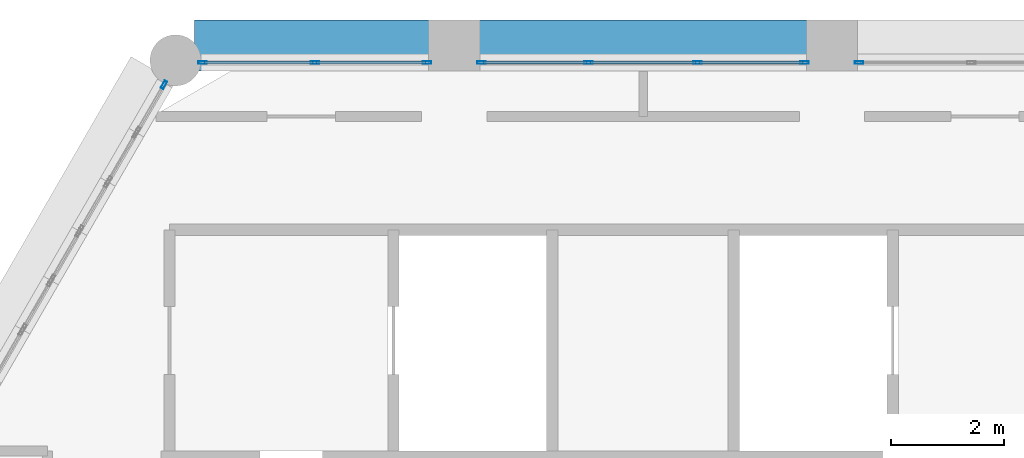
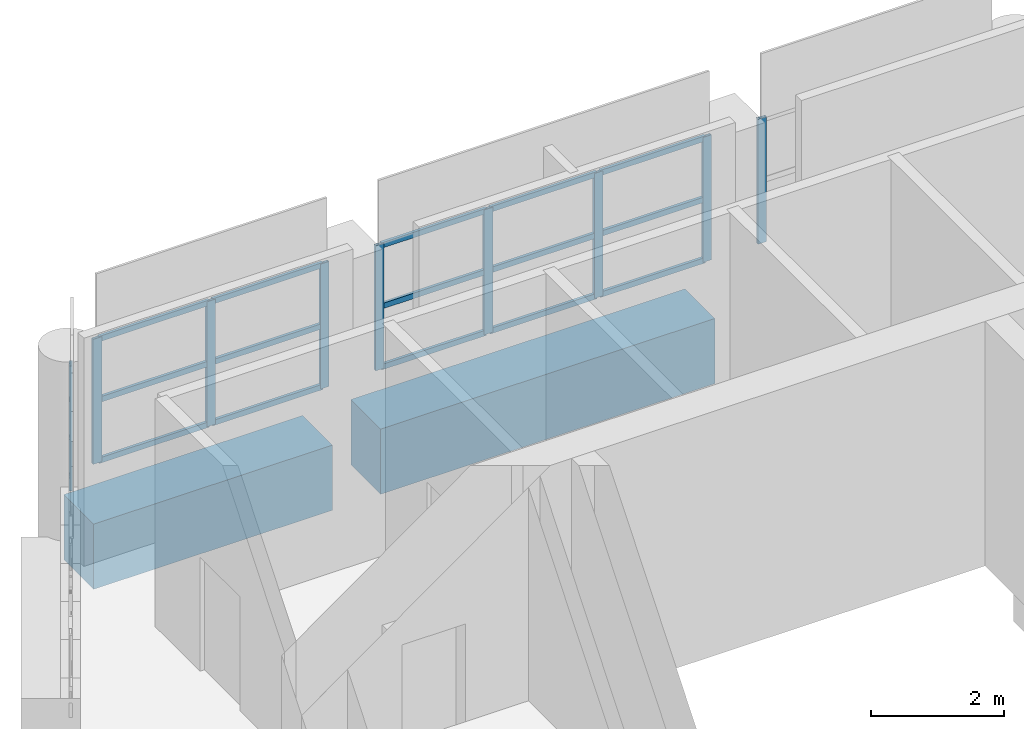
# One storey, part 8 of 16: 24 members, 2 beams, 4 elements without a shape of their own.
"""IFC4 building model written with IfcOpenShell, lengths in metres."""

from ifc_helpers import new_model, si_unit, direction, frame, origin, origin_2d, place, context, subcontext, project, spatial, rectangle, hollow_rectangle, extrude, material, material_profile, profile_set, type_object, element, aggregate, save


model = new_model("IFC4")

# Units and contexts
model_context = context("Model", 3, precision=1e-05, world=origin(), true_north=direction((0.0, 1.0)))
body_context = subcontext(model_context, "Body", "Model", "MODEL_VIEW")
ifc_project = project(units=[si_unit("LENGTHUNIT", "METRE"), si_unit("AREAUNIT", "SQUARE_METRE"), si_unit("VOLUMEUNIT", "CUBIC_METRE"), si_unit("PLANEANGLEUNIT", "RADIAN"), si_unit("MASSUNIT", "GRAM", prefix="KILO")], contexts=[model_context])

# Site, building, storey
site_placement = place(None, origin())
site = spatial("IfcSite", under=ifc_project, at=site_placement, CompositionType="ELEMENT")
building_placement = place(site_placement, origin())
building = spatial("IfcBuilding", under=site, at=building_placement, Name="Ostrander Bayou Hotel Tower", CompositionType="ELEMENT")
storey_placement = place(building_placement, frame((0.0, 0.0, 288.5)))
storey = spatial("IfcBuildingStorey", under=building, at=storey_placement, Name="L71", CompositionType="ELEMENT", Elevation=288.5)

# Curtain wall, member
ifc_material_1 = material(Name="Aluminium and clear glass", Category="aluminium")
curtain_wall_type = type_object("IfcCurtainWallType", Name="CW-CROWN glazed wall", PredefinedType="NOTDEFINED", material=ifc_material_1)
curtain_wall_1_placement = place(storey_placement, origin())
curtain_wall_1 = element("IfcCurtainWall", 1, at=curtain_wall_1_placement, inside=storey, type_object=curtain_wall_type, Name="CW-CROWN L71:N-1", PredefinedType="NOTDEFINED")
ifc_material_2 = material(Name="Aluminium", Category="aluminium")
ifc_material_profile_1 = material_profile(ifc_material_2, hollow_rectangle(XDim=0.050048828125, YDim=0.14990234375, WallThickness=0.00390625, at=origin_2d()))
ifc_profile_set_1 = profile_set([ifc_material_profile_1], Name="Aluminium")
member_type_1 = type_object("IfcMemberType", Name="CW-CR mullion 50 x 150 mm", PredefinedType="MULLION", material=ifc_profile_set_1)
member_1_placement = place(storey_placement, frame((3.809326171875, 16.550048828125, 1.0), z_axis=(0.0, 0.0, 1.0), x_axis=(0.0, -1.0, 0.0)))
member_1 = element("IfcMember", 2, at=member_1_placement, type_object=member_type_1, Name="CW-CROWN mullion 3", PredefinedType="MULLION", context=body_context, shape_type="SweptSolid", body=[
    extrude(hollow_rectangle(XDim=0.050048828125, YDim=0.14990234375, WallThickness=0.00390625, at=origin_2d()), origin(), (0.0, 0.0, 1.0), 2.300048828125),
])
aggregate(curtain_wall_1, [member_1])

# Curtain wall, members
curtain_wall_2_placement = place(storey_placement, origin())
curtain_wall_2 = element("IfcCurtainWall", 3, at=curtain_wall_2_placement, inside=storey, type_object=curtain_wall_type, Name="CW-CROWN L71:N-2", PredefinedType="NOTDEFINED")
member_2_placement = place(storey_placement, frame((2.849365234375, 16.550048828125, 1.0), z_axis=(0.0, 0.0, 1.0), x_axis=(0.0, -1.0, 0.0)))
member_2 = element("IfcMember", 4, at=member_2_placement, type_object=member_type_1, Name="CW-CROWN mullion 1", PredefinedType="MULLION", context=body_context, shape_type="SweptSolid", body=[
    extrude(hollow_rectangle(XDim=0.050048828125, YDim=0.14990234375, WallThickness=0.00390625, at=origin_2d()), origin(), (0.0, 0.0, 1.0), 2.300048828125),
])
member_3_placement = place(storey_placement, frame((0.959716796875, 16.550048828125, 1.0), z_axis=(0.0, 0.0, 1.0), x_axis=(0.0, -1.0, 0.0)))
member_3 = element("IfcMember", 5, at=member_3_placement, type_object=member_type_1, Name="CW-CROWN mullion 2", PredefinedType="MULLION", context=body_context, shape_type="SweptSolid", body=[
    extrude(hollow_rectangle(XDim=0.050048828125, YDim=0.14990234375, WallThickness=0.00390625, at=origin_2d()), origin(), (0.0, 0.0, 1.0), 2.300048828125),
])
member_4_placement = place(storey_placement, frame((-0.959716796875, 16.550048828125, 1.0), z_axis=(0.0, 0.0, 1.0), x_axis=(0.0, -1.0, 0.0)))
member_4 = element("IfcMember", 6, at=member_4_placement, type_object=member_type_1, Name="CW-CROWN mullion 3", PredefinedType="MULLION", context=body_context, shape_type="SweptSolid", body=[
    extrude(hollow_rectangle(XDim=0.050048828125, YDim=0.14990234375, WallThickness=0.00390625, at=origin_2d()), origin(), (0.0, 0.0, 1.0), 2.300048828125),
])
member_5_placement = place(storey_placement, frame((-2.849365234375, 16.550048828125, 1.0), z_axis=(0.0, 0.0, 1.0), x_axis=(0.0, -1.0, 0.0)))
member_5 = element("IfcMember", 7, at=member_5_placement, type_object=member_type_1, Name="CW-CROWN mullion 4", PredefinedType="MULLION", context=body_context, shape_type="SweptSolid", body=[
    extrude(hollow_rectangle(XDim=0.050048828125, YDim=0.14990234375, WallThickness=0.00390625, at=origin_2d()), origin(), (0.0, 0.0, 1.0), 2.300048828125),
])

curtain_wall_3_placement = place(storey_placement, origin())
curtain_wall_3 = element("IfcCurtainWall", 8, at=curtain_wall_3_placement, inside=storey, type_object=curtain_wall_type, Name="CW-CROWN L71:N-3", PredefinedType="NOTDEFINED")
member_6_placement = place(storey_placement, frame((-3.809326171875, 16.550048828125, 1.0), z_axis=(0.0, 0.0, 1.0), x_axis=(0.0, -1.0, 0.0)))
member_6 = element("IfcMember", 9, at=member_6_placement, type_object=member_type_1, Name="CW-CROWN mullion 1", PredefinedType="MULLION", context=body_context, shape_type="SweptSolid", body=[
    extrude(hollow_rectangle(XDim=0.050048828125, YDim=0.14990234375, WallThickness=0.00390625, at=origin_2d()), origin(), (0.0, 0.0, 1.0), 2.300048828125),
])
member_7_placement = place(storey_placement, frame((-5.78759765625, 16.550048828125, 1.0), z_axis=(0.0, 0.0, 1.0), x_axis=(0.0, -1.0, 0.0)))
member_7 = element("IfcMember", 10, at=member_7_placement, type_object=member_type_1, Name="CW-CROWN mullion 2", PredefinedType="MULLION", context=body_context, shape_type="SweptSolid", body=[
    extrude(hollow_rectangle(XDim=0.050048828125, YDim=0.14990234375, WallThickness=0.00390625, at=origin_2d()), origin(), (0.0, 0.0, 1.0), 2.300048828125),
])
member_8_placement = place(storey_placement, frame((-7.765869140625, 16.550048828125, 1.0), z_axis=(0.0, 0.0, 1.0), x_axis=(0.0, -1.0, 0.0)))
member_8 = element("IfcMember", 11, at=member_8_placement, type_object=member_type_1, Name="CW-CROWN mullion 3", PredefinedType="MULLION", context=body_context, shape_type="SweptSolid", body=[
    extrude(hollow_rectangle(XDim=0.050048828125, YDim=0.14990234375, WallThickness=0.00390625, at=origin_2d()), origin(), (0.0, 0.0, 1.0), 2.300048828125),
])

# Curtain wall, member
curtain_wall_4_placement = place(storey_placement, origin())
curtain_wall_4 = element("IfcCurtainWall", 12, at=curtain_wall_4_placement, inside=storey, type_object=curtain_wall_type, Name="CW-CROWN L71:NW-1-1", PredefinedType="NOTDEFINED")
member_9_placement = place(storey_placement, frame((-8.447021484375, 16.156494140625, 1.0), z_axis=(0.0, 0.0, 1.0), x_axis=(0.866026229865, -0.499998569184, 0.0)))
member_9 = element("IfcMember", 13, at=member_9_placement, type_object=member_type_1, Name="CW-CROWN mullion 1", PredefinedType="MULLION", context=body_context, shape_type="SweptSolid", body=[
    extrude(hollow_rectangle(XDim=0.050048828125, YDim=0.14990234375, WallThickness=0.00390625, at=origin_2d()), origin(), (0.0, 0.0, 1.0), 2.300048828125),
])
aggregate(curtain_wall_4, [member_9])

# Member
ifc_material_3 = material(Name="Aluminium", Category="aluminium")
ifc_material_profile_2 = material_profile(ifc_material_3, hollow_rectangle(XDim=0.050048828125, YDim=0.10009765625, WallThickness=0.00390625, at=origin_2d()))
ifc_profile_set_2 = profile_set([ifc_material_profile_2], Name="Aluminium")
member_type_2 = type_object("IfcMemberType", Name="CW-CR transom 50 x 100 mm", PredefinedType="USERDEFINED", material=ifc_profile_set_2)
member_10_placement = place(storey_placement, frame((2.8193359375, 16.550048828125, 1.030029296875), z_axis=(-1.0, 0.0, 0.0), x_axis=(0.0, -1.0, 0.0)))
member_10 = element("IfcMember", 14, at=member_10_placement, type_object=member_type_2, Name="CW-CROWN transom 1.1", ObjectType="TRANSOM", PredefinedType="USERDEFINED", context=body_context, shape_type="SweptSolid", body=[
    extrude(hollow_rectangle(XDim=0.050048828125, YDim=0.10009765625, WallThickness=0.00390625, at=origin_2d()), origin(), (0.0, 0.0, 1.0), 1.82958984375),
])

member_11_placement = place(storey_placement, frame((2.8193359375, 16.550048828125, 2.14990234375), z_axis=(-1.0, 0.0, 0.0), x_axis=(0.0, -1.0, 0.0)))
member_11 = element("IfcMember", 15, at=member_11_placement, type_object=member_type_2, Name="CW-CROWN transom 1.2", ObjectType="TRANSOM", PredefinedType="USERDEFINED", context=body_context, shape_type="SweptSolid", body=[
    extrude(hollow_rectangle(XDim=0.050048828125, YDim=0.10009765625, WallThickness=0.00390625, at=origin_2d()), origin(), (0.0, 0.0, 1.0), 1.82958984375),
])

member_12_placement = place(storey_placement, frame((2.8193359375, 16.550048828125, 3.27001953125), z_axis=(-1.0, 0.0, 0.0), x_axis=(0.0, -1.0, 0.0)))
member_12 = element("IfcMember", 16, at=member_12_placement, type_object=member_type_2, Name="CW-CROWN transom 1.3", ObjectType="TRANSOM", PredefinedType="USERDEFINED", context=body_context, shape_type="SweptSolid", body=[
    extrude(hollow_rectangle(XDim=0.050048828125, YDim=0.10009765625, WallThickness=0.00390625, at=origin_2d()), origin(), (0.0, 0.0, 1.0), 1.82958984375),
])

member_13_placement = place(storey_placement, frame((0.9296875, 16.550048828125, 1.030029296875), z_axis=(-1.0, 0.0, 0.0), x_axis=(0.0, -1.0, 0.0)))
member_13 = element("IfcMember", 17, at=member_13_placement, type_object=member_type_2, Name="CW-CROWN transom 2.1", ObjectType="TRANSOM", PredefinedType="USERDEFINED", context=body_context, shape_type="SweptSolid", body=[
    extrude(hollow_rectangle(XDim=0.050048828125, YDim=0.10009765625, WallThickness=0.00390625, at=origin_2d()), origin(), (0.0, 0.0, 1.0), 1.859375),
])

member_14_placement = place(storey_placement, frame((0.9296875, 16.550048828125, 2.14990234375), z_axis=(-1.0, 0.0, 0.0), x_axis=(0.0, -1.0, 0.0)))
member_14 = element("IfcMember", 18, at=member_14_placement, type_object=member_type_2, Name="CW-CROWN transom 2.2", ObjectType="TRANSOM", PredefinedType="USERDEFINED", context=body_context, shape_type="SweptSolid", body=[
    extrude(hollow_rectangle(XDim=0.050048828125, YDim=0.10009765625, WallThickness=0.00390625, at=origin_2d()), origin(), (0.0, 0.0, 1.0), 1.859375),
])

member_15_placement = place(storey_placement, frame((0.9296875, 16.550048828125, 3.27001953125), z_axis=(-1.0, 0.0, 0.0), x_axis=(0.0, -1.0, 0.0)))
member_15 = element("IfcMember", 19, at=member_15_placement, type_object=member_type_2, Name="CW-CROWN transom 2.3", ObjectType="TRANSOM", PredefinedType="USERDEFINED", context=body_context, shape_type="SweptSolid", body=[
    extrude(hollow_rectangle(XDim=0.050048828125, YDim=0.10009765625, WallThickness=0.00390625, at=origin_2d()), origin(), (0.0, 0.0, 1.0), 1.859375),
])

member_16_placement = place(storey_placement, frame((-0.98974609375, 16.550048828125, 1.030029296875), z_axis=(-1.0, 0.0, 0.0), x_axis=(0.0, -1.0, 0.0)))
member_16 = element("IfcMember", 20, at=member_16_placement, type_object=member_type_2, Name="CW-CROWN transom 3.1", ObjectType="TRANSOM", PredefinedType="USERDEFINED", context=body_context, shape_type="SweptSolid", body=[
    extrude(hollow_rectangle(XDim=0.050048828125, YDim=0.10009765625, WallThickness=0.00390625, at=origin_2d()), origin(), (0.0, 0.0, 1.0), 1.82958984375),
])

member_17_placement = place(storey_placement, frame((-0.98974609375, 16.550048828125, 2.14990234375), z_axis=(-1.0, 0.0, 0.0), x_axis=(0.0, -1.0, 0.0)))
member_17 = element("IfcMember", 21, at=member_17_placement, type_object=member_type_2, Name="CW-CROWN transom 3.2", ObjectType="TRANSOM", PredefinedType="USERDEFINED", context=body_context, shape_type="SweptSolid", body=[
    extrude(hollow_rectangle(XDim=0.050048828125, YDim=0.10009765625, WallThickness=0.00390625, at=origin_2d()), origin(), (0.0, 0.0, 1.0), 1.82958984375),
])

member_18_placement = place(storey_placement, frame((-0.98974609375, 16.550048828125, 3.27001953125), z_axis=(-1.0, 0.0, 0.0), x_axis=(0.0, -1.0, 0.0)))
member_18 = element("IfcMember", 22, at=member_18_placement, type_object=member_type_2, Name="CW-CROWN transom 3.3", ObjectType="TRANSOM", PredefinedType="USERDEFINED", context=body_context, shape_type="SweptSolid", body=[
    extrude(hollow_rectangle(XDim=0.050048828125, YDim=0.10009765625, WallThickness=0.00390625, at=origin_2d()), origin(), (0.0, 0.0, 1.0), 1.82958984375),
])

aggregate(curtain_wall_2, [member_2, member_3, member_4, member_5, member_10, member_11, member_12, member_13, member_14, member_15, member_16, member_17, member_18])

member_19_placement = place(storey_placement, frame((-3.83935546875, 16.550048828125, 1.030029296875), z_axis=(-1.0, 0.0, 0.0), x_axis=(0.0, -1.0, 0.0)))
member_19 = element("IfcMember", 23, at=member_19_placement, type_object=member_type_2, Name="CW-CROWN transom 1.1", ObjectType="TRANSOM", PredefinedType="USERDEFINED", context=body_context, shape_type="SweptSolid", body=[
    extrude(hollow_rectangle(XDim=0.050048828125, YDim=0.10009765625, WallThickness=0.00390625, at=origin_2d()), origin(), (0.0, 0.0, 1.0), 1.918212890625),
])

member_20_placement = place(storey_placement, frame((-3.83935546875, 16.550048828125, 2.14990234375), z_axis=(-1.0, 0.0, 0.0), x_axis=(0.0, -1.0, 0.0)))
member_20 = element("IfcMember", 24, at=member_20_placement, type_object=member_type_2, Name="CW-CROWN transom 1.2", ObjectType="TRANSOM", PredefinedType="USERDEFINED", context=body_context, shape_type="SweptSolid", body=[
    extrude(hollow_rectangle(XDim=0.050048828125, YDim=0.10009765625, WallThickness=0.00390625, at=origin_2d()), origin(), (0.0, 0.0, 1.0), 1.918212890625),
])

member_21_placement = place(storey_placement, frame((-3.83935546875, 16.550048828125, 3.27001953125), z_axis=(-1.0, 0.0, 0.0), x_axis=(0.0, -1.0, 0.0)))
member_21 = element("IfcMember", 25, at=member_21_placement, type_object=member_type_2, Name="CW-CROWN transom 1.3", ObjectType="TRANSOM", PredefinedType="USERDEFINED", context=body_context, shape_type="SweptSolid", body=[
    extrude(hollow_rectangle(XDim=0.050048828125, YDim=0.10009765625, WallThickness=0.00390625, at=origin_2d()), origin(), (0.0, 0.0, 1.0), 1.918212890625),
])

member_22_placement = place(storey_placement, frame((-5.817626953125, 16.550048828125, 1.030029296875), z_axis=(-1.0, 0.0, 0.0), x_axis=(0.0, -1.0, 0.0)))
member_22 = element("IfcMember", 26, at=member_22_placement, type_object=member_type_2, Name="CW-CROWN transom 2.1", ObjectType="TRANSOM", PredefinedType="USERDEFINED", context=body_context, shape_type="SweptSolid", body=[
    extrude(hollow_rectangle(XDim=0.050048828125, YDim=0.10009765625, WallThickness=0.00390625, at=origin_2d()), origin(), (0.0, 0.0, 1.0), 1.918212890625),
])

member_23_placement = place(storey_placement, frame((-5.817626953125, 16.550048828125, 2.14990234375), z_axis=(-1.0, 0.0, 0.0), x_axis=(0.0, -1.0, 0.0)))
member_23 = element("IfcMember", 27, at=member_23_placement, type_object=member_type_2, Name="CW-CROWN transom 2.2", ObjectType="TRANSOM", PredefinedType="USERDEFINED", context=body_context, shape_type="SweptSolid", body=[
    extrude(hollow_rectangle(XDim=0.050048828125, YDim=0.10009765625, WallThickness=0.00390625, at=origin_2d()), origin(), (0.0, 0.0, 1.0), 1.918212890625),
])

member_24_placement = place(storey_placement, frame((-5.817626953125, 16.550048828125, 3.27001953125), z_axis=(-1.0, 0.0, 0.0), x_axis=(0.0, -1.0, 0.0)))
member_24 = element("IfcMember", 28, at=member_24_placement, type_object=member_type_2, Name="CW-CROWN transom 2.3", ObjectType="TRANSOM", PredefinedType="USERDEFINED", context=body_context, shape_type="SweptSolid", body=[
    extrude(hollow_rectangle(XDim=0.050048828125, YDim=0.10009765625, WallThickness=0.00390625, at=origin_2d()), origin(), (0.0, 0.0, 1.0), 1.918212890625),
])

aggregate(curtain_wall_3, [member_6, member_7, member_8, member_19, member_20, member_21, member_22, member_23, member_24])

# Beams
ifc_material_4 = material(Name="Concrete f'c 60 MPa", Category="concrete")
ifc_material_profile_3 = material_profile(ifc_material_4, rectangle(XDim=0.89990234375, YDim=1.199951171875, at=origin_2d()))
ifc_profile_set_3 = profile_set([ifc_material_profile_3], Name="Concrete f'c 60 MPa")
beam_type = type_object("IfcBeamType", Name="SP4 spandrel beam 900 x 1200 mm f'c 60 MPa", PredefinedType="SPANDREL", material=ifc_profile_set_3)
beam_1_placement = place(storey_placement, frame((2.909423828125, 16.85009765625, -0.60009765625), z_axis=(-1.0, 0.0, 0.0), x_axis=(0.0, -1.0, 0.0)))
element("IfcBeam", 29, at=beam_1_placement, inside=storey, type_object=beam_type, Name="SP4 L71 N-2", PredefinedType="SPANDREL", context=body_context, shape_type="SweptSolid", body=[
    extrude(rectangle(XDim=0.89990234375, YDim=1.199951171875, at=origin_2d()), origin(), (0.0, 0.0, 1.0), 5.81884765625),
])
beam_2_placement = place(storey_placement, frame((-3.74951171875, 16.85009765625, -0.60009765625), z_axis=(-1.0, 0.0, 0.0), x_axis=(0.0, -1.0, 0.0)))
element("IfcBeam", 30, at=beam_2_placement, inside=storey, type_object=beam_type, Name="SP4 L71 N-3", PredefinedType="SPANDREL", context=body_context, shape_type="SweptSolid", body=[
    extrude(rectangle(XDim=0.89990234375, YDim=1.199951171875, at=origin_2d()), origin(), (0.0, 0.0, 1.0), 4.15625),
])

save(model, "model.ifc")
